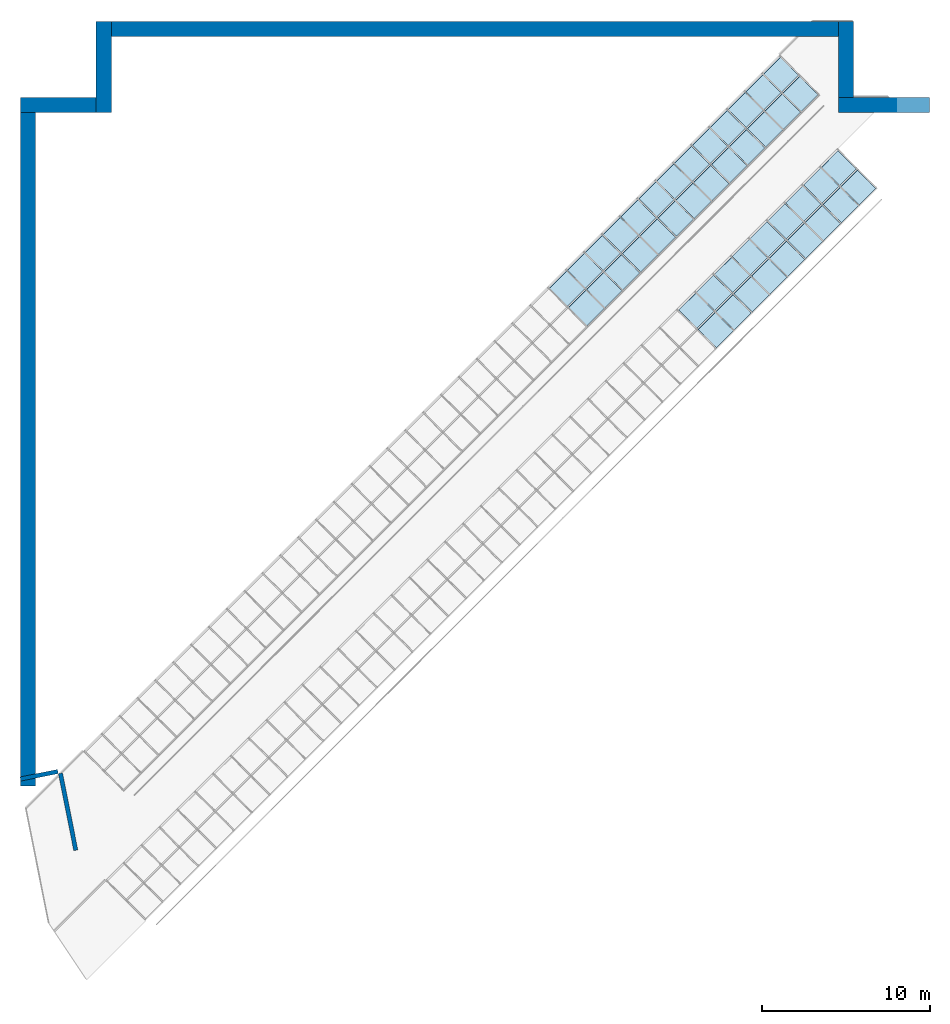
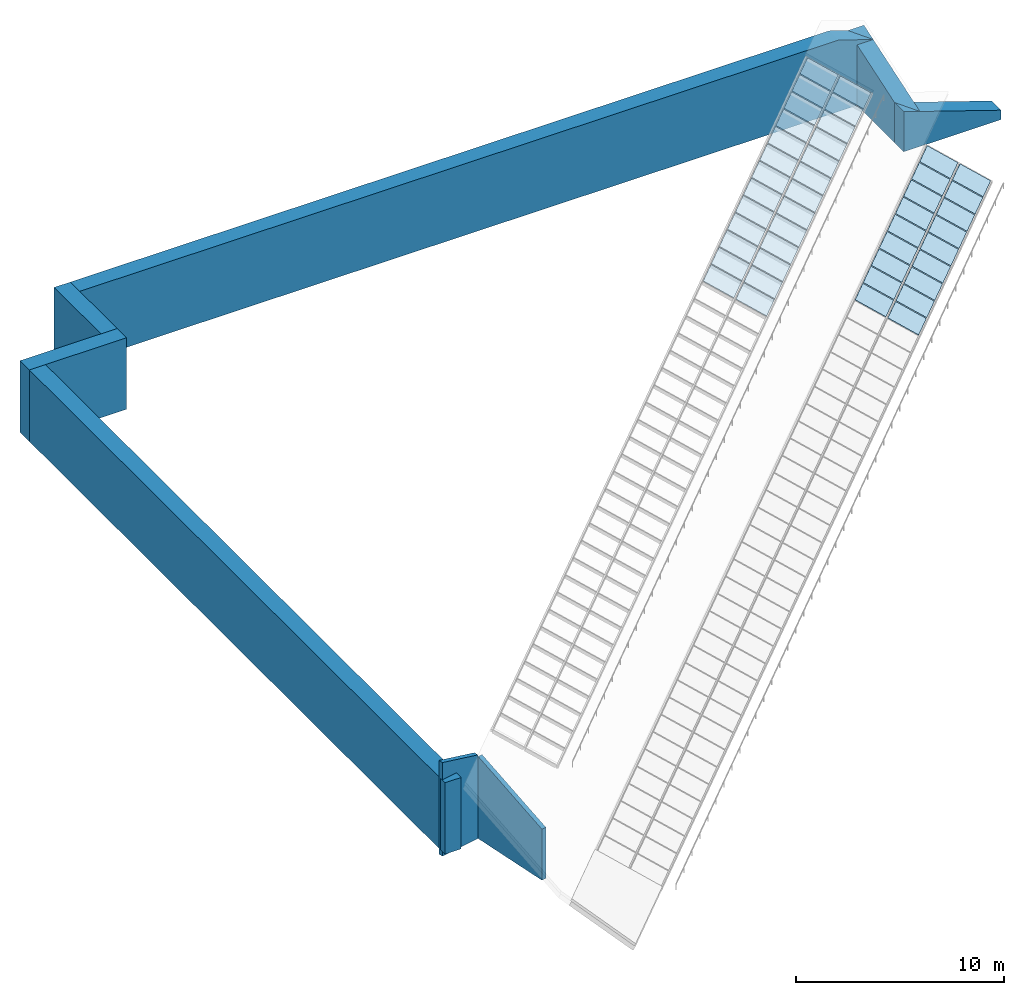
# One storey, part 6 of 7: 44 plates, 8 walls, 2 elements without a shape of their own.
"""IFC4 building model written with IfcOpenShell, lengths in metres."""

import ifcopenshell
import ifcopenshell.guid

model = None  # the IFC model being written
_history = None  # IfcOwnerHistory: only IFC2X3 demands one
_inside = {}  # id of a spatial element -> (the spatial element, [elements in it])
_under = {}  # id of a project, library or spatial element -> (it, [spatial elements below it])
_declared = {}  # id of a project -> (the project, [libraries it declares])
_typed = {}  # id of a type object -> (the type object, [elements of that type])
_made_of = {}  # id of a material, layer set ... -> (it, [elements and type objects made of it])


def new_model(schema):
    """Start an empty IFC model of exactly this schema.

    Asked for "IFC4X3", IfcOpenShell would pick the latest addendum, in which some entities
    have other attributes; the version numbers below select the first issue.
    IFC2X3 requires an IfcOwnerHistory on every rooted entity: one is made here for all.
    """
    global model, _history
    if schema == "IFC4X3":
        model = ifcopenshell.file(schema_version=(4, 3, 0, 0))
    else:
        model = ifcopenshell.file(schema=schema)
    _inside.clear()
    _under.clear()
    _declared.clear()
    _typed.clear()
    _made_of.clear()
    _history = None
    if model.schema == "IFC2X3":
        org = make("IfcOrganization", Name="unknown")
        user = make(
            "IfcPersonAndOrganization",
            ThePerson=make("IfcPerson", FamilyName="unknown"),
            TheOrganization=org,
        )
        app = make(
            "IfcApplication",
            ApplicationDeveloper=org,
            Version="unknown",
            ApplicationFullName="unknown",
            ApplicationIdentifier="unknown",
        )
        _history = make(
            "IfcOwnerHistory",
            OwningUser=user,
            OwningApplication=app,
            ChangeAction="ADDED",
            CreationDate=0,
        )
    return model


def make(cls, **values):
    """One entity of the class cls with the attributes given. An attribute that is None is left unset."""
    return model.create_entity(
        cls, **{name: value for name, value in values.items() if value is not None}
    )


def rooted(cls, **values):
    """An entity with a GlobalId (a new one), such as an element, a storey or a relation."""
    return make(cls, GlobalId=ifcopenshell.guid.new(), OwnerHistory=_history, **values)


def si_unit(unit_type, name, prefix=None):
    """IfcSIUnit, for example si_unit("LENGTHUNIT", "METRE", prefix="MILLI")."""
    return make("IfcSIUnit", UnitType=unit_type, Prefix=prefix, Name=name)


def assignment(units):
    """IfcUnitAssignment: the units of a project."""
    return None if units is None else make("IfcUnitAssignment", Units=units)


def point(xyz):
    """IfcCartesianPoint."""
    return None if xyz is None else make("IfcCartesianPoint", Coordinates=xyz)


def direction(xyz):
    """IfcDirection."""
    return None if xyz is None else make("IfcDirection", DirectionRatios=xyz)


def frame(location, z_axis=None, x_axis=None):
    """IfcAxis2Placement3D, a coordinate frame: its origin and axes. An axis left out is left unset."""
    return make(
        "IfcAxis2Placement3D",
        Location=point(location),
        Axis=direction(z_axis),
        RefDirection=direction(x_axis),
    )


def origin():
    """The frame at (0, 0, 0) with its axes left unset."""
    return frame((0.0, 0.0, 0.0))


def place(relative_to, where):
    """IfcLocalPlacement: puts the frame where relative to a parent placement (None: the world)."""
    return make(
        "IfcLocalPlacement", PlacementRelTo=relative_to, RelativePlacement=where
    )


def context(
    kind, dimensions, precision=None, world=None, true_north=None, identifier=None
):
    """IfcGeometricRepresentationContext, for example the 3D "Model" context."""
    return make(
        "IfcGeometricRepresentationContext",
        ContextIdentifier=identifier,
        ContextType=kind,
        CoordinateSpaceDimension=dimensions,
        Precision=precision,
        WorldCoordinateSystem=world,
        TrueNorth=true_north,
    )


def subcontext(parent, identifier, kind, view, scale=None):
    """IfcGeometricRepresentationSubContext, for example "Body" below "Model"."""
    return make(
        "IfcGeometricRepresentationSubContext",
        ContextIdentifier=identifier,
        ContextType=kind,
        ParentContext=parent,
        TargetScale=scale,
        TargetView=view,
    )


def project(units=None, contexts=None):
    """IfcProject with its units and contexts."""
    return rooted(
        "IfcProject",
        Name="project",
        RepresentationContexts=contexts,
        UnitsInContext=assignment(units),
    )


def spatial(cls, under=None, at=None, **own):
    """A site, building, storey or space (cls), placed at a placement, below another one or the project."""
    s = rooted(cls, ObjectPlacement=at, **own)
    if under is not None:
        _under.setdefault(under.id(), (under, []))[1].append(s)
    return s


def polyline(points):
    """IfcPolyline through the points."""
    return make("IfcPolyline", Points=[point(p) for p in points])


def outline(outer, holes=None, kind="AREA"):
    """IfcArbitraryClosedProfileDef: a profile drawn as a closed curve; with holes, ...WithVoids."""
    if holes is None:
        return make("IfcArbitraryClosedProfileDef", ProfileType=kind, OuterCurve=outer)
    return make(
        "IfcArbitraryProfileDefWithVoids",
        ProfileType=kind,
        OuterCurve=outer,
        InnerCurves=holes,
    )


def extrude(swept, where, along, depth):
    """IfcExtrudedAreaSolid: the profile swept, set in the frame where, extruded along a direction by depth."""
    return make(
        "IfcExtrudedAreaSolid",
        SweptArea=swept,
        Position=where,
        ExtrudedDirection=direction(along),
        Depth=depth,
    )


def shape(context_of_items, identifier, shape_type, items):
    """IfcShapeRepresentation: the items that make up one representation, for example the "Body"."""
    return make(
        "IfcShapeRepresentation",
        ContextOfItems=context_of_items,
        RepresentationIdentifier=identifier,
        RepresentationType=shape_type,
        Items=items,
    )


def material(Name=None, Category=None):
    """IfcMaterial."""
    return make("IfcMaterial", Name=Name, Category=Category)


def layer(
    of_material, thickness, ventilated=None, Name=None, Category=None, Priority=None
):
    """IfcMaterialLayer: one layer of a wall or slab, of a material (None: an air gap)."""
    return make(
        "IfcMaterialLayer",
        Material=of_material,
        LayerThickness=thickness,
        IsVentilated=ventilated,
        Name=Name,
        Category=Category,
        Priority=Priority,
    )


def layer_set(layers, Name=None):
    """IfcMaterialLayerSet."""
    return make("IfcMaterialLayerSet", MaterialLayers=layers, LayerSetName=Name)


def made_of(thing, what):
    """Note that an element or type object is made of a material, layer set ...; save() writes the relation."""
    if what is not None:
        _made_of.setdefault(what.id(), (what, []))[1].append(thing)
    return thing


def type_object(cls, material=None, **own):
    """A type object (cls), such as IfcWallType, which elements share."""
    return made_of(rooted(cls, **own), material)


def element(
    cls,
    number,
    at=None,
    inside=None,
    cuts=None,
    type_object=None,
    material=None,
    context=None,
    identifier="Body",
    shape_type=None,
    held_by="IfcProductDefinitionShape",
    body=None,
    shapes=None,
    **own,
):
    """One element of the class cls, such as IfcWall. Its Tag is "e" and its number.

    at: its placement. inside: the storey or other place that contains it. cuts: it is an
    opening in that element (IfcRelVoidsElement). A single representation is given by context,
    identifier, shape_type and body (its items); several are given by shapes. held_by: the class
    of the entity that holds the representations. save() writes the other relations.
    """
    e = rooted(cls, Tag="e%d" % number, ObjectPlacement=at, **own)
    if body is not None:
        shapes = [shape(context, identifier, shape_type, body)]
    if shapes is not None:
        e.Representation = make(held_by, Representations=shapes)
    if inside is not None:
        _inside.setdefault(inside.id(), (inside, []))[1].append(e)
    if cuts is not None:
        rooted(
            "IfcRelVoidsElement", RelatingBuildingElement=cuts, RelatedOpeningElement=e
        )
    if type_object is not None:
        _typed.setdefault(type_object.id(), (type_object, []))[1].append(e)
    return made_of(e, material)


def aggregate(whole, parts):
    """IfcRelAggregates: a whole, such as a stair, and the parts it consists of."""
    return rooted("IfcRelAggregates", RelatingObject=whole, RelatedObjects=parts)


def save(model, path):
    """Write the relations noted so far, then the file.

    IfcRelAggregates (storeys below a building ...), IfcRelContainedInSpatialStructure (elements
    in a storey), IfcRelDefinesByType, IfcRelAssociatesMaterial and IfcRelDeclares: one each for
    every whole, place, type object, material and project.
    """
    for whole, parts in _under.values():
        aggregate(whole, parts)
    for where, things in _inside.values():
        rooted(
            "IfcRelContainedInSpatialStructure",
            RelatedElements=things,
            RelatingStructure=where,
        )
    for kind, things in _typed.values():
        rooted("IfcRelDefinesByType", RelatedObjects=things, RelatingType=kind)
    for what, things in _made_of.values():
        rooted("IfcRelAssociatesMaterial", RelatedObjects=things, RelatingMaterial=what)
    for by, libraries in _declared.values():
        rooted("IfcRelDeclares", RelatingContext=by, RelatedDefinitions=libraries)
    model.write(path)


model = new_model("IFC4")

# Units and contexts
model_context = context("Model", 3, precision=1e-05, world=origin(), true_north=direction((0.0, 1.0)))
body_context = subcontext(model_context, "Body", "Model", "MODEL_VIEW")
ifc_project = project(units=[si_unit("LENGTHUNIT", "METRE"), si_unit("AREAUNIT", "SQUARE_METRE"), si_unit("VOLUMEUNIT", "CUBIC_METRE"), si_unit("PLANEANGLEUNIT", "RADIAN"), si_unit("MASSUNIT", "GRAM", prefix="KILO")], contexts=[model_context])

# Site, building, storey
site_placement = place(None, origin())
site = spatial("IfcSite", under=ifc_project, at=site_placement, CompositionType="ELEMENT")
building_placement = place(site_placement, origin())
building = spatial("IfcBuilding", under=site, at=building_placement, Name="Hunhe Ridgeline Campus", CompositionType="ELEMENT")
storey_placement = place(building_placement, frame((0.0, 0.0, 315.60009765625)))
storey = spatial("IfcBuildingStorey", under=building, at=storey_placement, Name="L81 Crown", CompositionType="ELEMENT", Elevation=315.60009765625)

# Curtain wall, plates
ifc_material_1 = material(Name="Aluminium 6063", Category="aluminium")
curtain_wall_type = type_object("IfcCurtainWallType", Name="Curtain wall CW-6", PredefinedType="NOTDEFINED", material=ifc_material_1)
curtain_wall_1_placement = place(storey_placement, origin())
curtain_wall_1 = element("IfcCurtainWall", 1, at=curtain_wall_1_placement, inside=storey, type_object=curtain_wall_type, Name="Rooflight 3", PredefinedType="NOTDEFINED")
ifc_material_2 = material(Name="Low-e laminated glass", Category="glass")
ifc_layer_1 = layer(ifc_material_2, 0.0400390625)
ifc_layer_set_1 = layer_set([ifc_layer_1], Name="Rooflight glass panel 40 low-e laminated")
plate_type = type_object("IfcPlateType", Name="Rooflight glass panel 40 low-e laminated", PredefinedType="CURTAIN_PANEL", material=ifc_layer_set_1)
plate_1_placement = place(storey_placement, frame((50.82275390625, 89.08544921875, 0.261474609375), z_axis=(0.301474033015, -0.301548655301, 0.904534032474), x_axis=(-0.639602149067, 0.639602149067, 0.426401432711)))
plate_1 = element("IfcPlate", 2, at=plate_1_placement, type_object=plate_type, Name="Rooflight panel 1.1", PredefinedType="CURTAIN_PANEL", context=body_context, shape_type="SweptSolid", body=[
    extrude(outline(polyline([(0.0, 0.0), (1.6936340109323371, 1.1218781979793757e-16), (1.6937901638007615, 1.3950512467586071), (0.00015615286842451948, 1.395051246758607), (0.0, 0.0)])), origin(), (0.0, 0.0, -1.0), 0.0400390625),
])
plate_2_placement = place(storey_placement, frame((49.786865234375, 88.049560546875, 0.261474609375), z_axis=(0.301511344578, -0.301511344578, 0.904534033733), x_axis=(-0.639602149067, 0.639602149067, 0.426401432711)))
plate_2 = element("IfcPlate", 3, at=plate_2_placement, type_object=plate_type, Name="Rooflight panel 1.2", PredefinedType="CURTAIN_PANEL", context=body_context, shape_type="SweptSolid", body=[
    extrude(outline(polyline([(0.0, 0.0), (1.6936340109323371, 0.0), (1.693634010932337, 1.4300958435911524), (0.0, 1.4300958435911524), (0.0, 0.0)])), origin(), (0.0, 0.0, -1.0), 0.0400390625),
])
plate_3_placement = place(storey_placement, frame((48.72607421875, 86.98876953125, 0.261474609375), z_axis=(0.301483547543, -0.301483547543, 0.904552564046), x_axis=(-0.63954317933, 0.639687317978, 0.426362119554)))
plate_3 = element("IfcPlate", 4, at=plate_3_placement, type_object=plate_type, Name="Rooflight panel 1.3", PredefinedType="CURTAIN_PANEL", context=body_context, shape_type="SweptSolid", body=[
    extrude(outline(polyline([(0.0, 0.0), (1.6937901741978365, -3.077778917143226e-17), (1.6936444168056752, 1.4300958361632525), (-0.00014572220206188202, 1.4297505691820445), (0.0, 0.0)])), origin(), (0.0, 0.0, -1.0), 0.0400390625),
])
plate_4_placement = place(storey_placement, frame((47.66552734375, 85.92822265625, 0.261474609375), z_axis=(0.301511344578, -0.301511344578, 0.904534033733), x_axis=(-0.639602149067, 0.639602149067, 0.426401432711)))
plate_4 = element("IfcPlate", 5, at=plate_4_placement, type_object=plate_type, Name="Rooflight panel 1.4", PredefinedType="CURTAIN_PANEL", context=body_context, shape_type="SweptSolid", body=[
    extrude(outline(polyline([(0.0, 0.0), (1.6936340109323371, 0.0), (1.693634010932337, 1.4300958435911524), (0.0, 1.4300958435911524), (0.0, 0.0)])), origin(), (0.0, 0.0, -1.0), 0.0400390625),
])
plate_5_placement = place(storey_placement, frame((46.604736328125, 84.867431640625, 0.261474609375), z_axis=(0.301483547543, -0.301483547543, 0.904552564046), x_axis=(-0.63954317933, 0.639687317978, 0.426362119554)))
plate_5 = element("IfcPlate", 6, at=plate_5_placement, type_object=plate_type, Name="Rooflight panel 1.5", PredefinedType="CURTAIN_PANEL", context=body_context, shape_type="SweptSolid", body=[
    extrude(outline(polyline([(0.0, 0.0), (1.6937901741978365, -3.077778917143226e-17), (1.6936444168056752, 1.4300958361632525), (-0.00014572220206188202, 1.4297505691820445), (0.0, 0.0)])), origin(), (0.0, 0.0, -1.0), 0.0400390625),
])
plate_6_placement = place(storey_placement, frame((45.544189453125, 83.806884765625, 0.261474609375), z_axis=(0.301511344578, -0.301511344578, 0.904534033733), x_axis=(-0.639602149067, 0.639602149067, 0.426401432711)))
plate_6 = element("IfcPlate", 7, at=plate_6_placement, type_object=plate_type, Name="Rooflight panel 1.6", PredefinedType="CURTAIN_PANEL", context=body_context, shape_type="SweptSolid", body=[
    extrude(outline(polyline([(0.0, 0.0), (1.6936340109323371, 0.0), (1.693634010932337, 1.4300958435911524), (0.0, 1.4300958435911524), (0.0, 0.0)])), origin(), (0.0, 0.0, -1.0), 0.0400390625),
])
plate_7_placement = place(storey_placement, frame((44.4833984375, 82.746337890625, 0.261474609375), z_axis=(0.301547745403, -0.301474942954, 0.904534032535), x_axis=(-0.639602149067, 0.639602149067, 0.426401432711)))
plate_7 = element("IfcPlate", 8, at=plate_7_placement, type_object=plate_type, Name="Rooflight panel 1.7", PredefinedType="CURTAIN_PANEL", context=body_context, shape_type="SweptSolid", body=[
    extrude(outline(polyline([(0.0, 0.0), (1.6936340109323371, 3.6469850576981155e-17), (1.6934778580639125, 1.4299232119943703), (-0.00015615286842451948, 1.4299232119943701), (0.0, 0.0)])), origin(), (0.0, 0.0, -1.0), 0.0400390625),
])
plate_8_placement = place(storey_placement, frame((43.4228515625, 81.685546875, 0.261474609375), z_axis=(0.301511344578, -0.301511344578, 0.904534033733), x_axis=(-0.639602149067, 0.639602149067, 0.426401432711)))
plate_8 = element("IfcPlate", 9, at=plate_8_placement, type_object=plate_type, Name="Rooflight panel 1.8", PredefinedType="CURTAIN_PANEL", context=body_context, shape_type="SweptSolid", body=[
    extrude(outline(polyline([(0.0, 0.0), (1.6936340109323371, 0.0), (1.693634010932337, 1.4300958435911524), (0.0, 1.4300958435911524), (0.0, 0.0)])), origin(), (0.0, 0.0, -1.0), 0.0400390625),
])
plate_9_placement = place(storey_placement, frame((42.362060546875, 80.625, 0.261474609375), z_axis=(0.301547745403, -0.301474942954, 0.904534032535), x_axis=(-0.639602149067, 0.639602149067, 0.426401432711)))
plate_9 = element("IfcPlate", 10, at=plate_9_placement, type_object=plate_type, Name="Rooflight panel 1.9", PredefinedType="CURTAIN_PANEL", context=body_context, shape_type="SweptSolid", body=[
    extrude(outline(polyline([(0.0, 0.0), (1.6936340109323371, 3.6469850576981155e-17), (1.6934778580639125, 1.4299232119943703), (-0.00015615286842451948, 1.4299232119943701), (0.0, 0.0)])), origin(), (0.0, 0.0, -1.0), 0.0400390625),
])
plate_10_placement = place(storey_placement, frame((49.668701171875, 90.239501953125, 1.03076171875), z_axis=(0.301548655301, -0.301474033015, 0.904534032474), x_axis=(-0.639602149067, 0.639602149067, 0.426401432711)))
plate_10 = element("IfcPlate", 11, at=plate_10_placement, type_object=plate_type, Name="Rooflight panel 2.1", PredefinedType="CURTAIN_PANEL", context=body_context, shape_type="SweptSolid", body=[
    extrude(outline(polyline([(0.0, 0.0), (1.6936340109323371, -1.1218781979793757e-16), (1.6934778580639125, 1.3950512467586067), (-0.00015615286842451948, 1.395051246758607), (0.0, 0.0)])), origin(), (0.0, 0.0, -1.0), 0.0400390625),
])
plate_11_placement = place(storey_placement, frame((48.6328125, 89.20361328125, 1.03076171875), z_axis=(0.301511344578, -0.301511344578, 0.904534033733), x_axis=(-0.639602149067, 0.639602149067, 0.426401432711)))
plate_11 = element("IfcPlate", 12, at=plate_11_placement, type_object=plate_type, Name="Rooflight panel 2.2", PredefinedType="CURTAIN_PANEL", context=body_context, shape_type="SweptSolid", body=[
    extrude(outline(polyline([(0.0, 0.0), (1.6936340109323371, 0.0), (1.693634010932337, 1.4300958435911524), (0.0, 1.4300958435911524), (0.0, 0.0)])), origin(), (0.0, 0.0, -1.0), 0.0400390625),
])
plate_12_placement = place(storey_placement, frame((47.572265625, 88.142822265625, 1.03076171875), z_axis=(0.301483547543, -0.301483547543, 0.904552564046), x_axis=(-0.639687317978, 0.63954317933, 0.426362119554)))
plate_12 = element("IfcPlate", 13, at=plate_12_placement, type_object=plate_type, Name="Rooflight panel 2.3", PredefinedType="CURTAIN_PANEL", context=body_context, shape_type="SweptSolid", body=[
    extrude(outline(polyline([(0.0, 0.0), (1.6937901741978365, 3.077778917143226e-17), (1.6939358963998983, 1.4297505691820447), (0.00014575739216138306, 1.4300958361632525), (0.0, 0.0)])), origin(), (0.0, 0.0, -1.0), 0.0400390625),
])
plate_13_placement = place(storey_placement, frame((46.511474609375, 87.082275390625, 1.03076171875), z_axis=(0.301511344578, -0.301511344578, 0.904534033733), x_axis=(-0.639602149067, 0.639602149067, 0.426401432711)))
plate_13 = element("IfcPlate", 14, at=plate_13_placement, type_object=plate_type, Name="Rooflight panel 2.4", PredefinedType="CURTAIN_PANEL", context=body_context, shape_type="SweptSolid", body=[
    extrude(outline(polyline([(0.0, 0.0), (1.6936340109323371, 0.0), (1.693634010932337, 1.4300958435911524), (0.0, 1.4300958435911524), (0.0, 0.0)])), origin(), (0.0, 0.0, -1.0), 0.0400390625),
])
plate_14_placement = place(storey_placement, frame((45.450927734375, 86.021484375, 1.03076171875), z_axis=(0.301483547543, -0.301483547543, 0.904552564046), x_axis=(-0.639687317978, 0.63954317933, 0.426362119554)))
plate_14 = element("IfcPlate", 15, at=plate_14_placement, type_object=plate_type, Name="Rooflight panel 2.5", PredefinedType="CURTAIN_PANEL", context=body_context, shape_type="SweptSolid", body=[
    extrude(outline(polyline([(0.0, 0.0), (1.6937901741978365, 3.077778917143226e-17), (1.6939358963998983, 1.4297505691820447), (0.00014575739216138306, 1.4300958361632525), (0.0, 0.0)])), origin(), (0.0, 0.0, -1.0), 0.0400390625),
])
plate_15_placement = place(storey_placement, frame((44.39013671875, 84.9609375, 1.03076171875), z_axis=(0.301511344578, -0.301511344578, 0.904534033733), x_axis=(-0.639602149067, 0.639602149067, 0.426401432711)))
plate_15 = element("IfcPlate", 16, at=plate_15_placement, type_object=plate_type, Name="Rooflight panel 2.6", PredefinedType="CURTAIN_PANEL", context=body_context, shape_type="SweptSolid", body=[
    extrude(outline(polyline([(0.0, 0.0), (1.6936340109323371, 0.0), (1.693634010932337, 1.4300958435911524), (0.0, 1.4300958435911524), (0.0, 0.0)])), origin(), (0.0, 0.0, -1.0), 0.0400390625),
])
plate_16_placement = place(storey_placement, frame((43.32958984375, 83.900146484375, 1.03076171875), z_axis=(0.301474942954, -0.301547745403, 0.904534032535), x_axis=(-0.639602149067, 0.639602149067, 0.426401432711)))
plate_16 = element("IfcPlate", 17, at=plate_16_placement, type_object=plate_type, Name="Rooflight panel 2.7", PredefinedType="CURTAIN_PANEL", context=body_context, shape_type="SweptSolid", body=[
    extrude(outline(polyline([(0.0, 0.0), (1.6936340109323371, -3.6469850576981155e-17), (1.6937901638007615, 1.4299232119943701), (0.00015615286842451948, 1.4299232119943701), (0.0, 0.0)])), origin(), (0.0, 0.0, -1.0), 0.0400390625),
])
plate_17_placement = place(storey_placement, frame((42.268798828125, 82.839599609375, 1.03076171875), z_axis=(0.301511344578, -0.301511344578, 0.904534033733), x_axis=(-0.639602149067, 0.639602149067, 0.426401432711)))
plate_17 = element("IfcPlate", 18, at=plate_17_placement, type_object=plate_type, Name="Rooflight panel 2.8", PredefinedType="CURTAIN_PANEL", context=body_context, shape_type="SweptSolid", body=[
    extrude(outline(polyline([(0.0, 0.0), (1.6936340109323371, 0.0), (1.693634010932337, 1.4300958435911524), (0.0, 1.4300958435911524), (0.0, 0.0)])), origin(), (0.0, 0.0, -1.0), 0.0400390625),
])
plate_18_placement = place(storey_placement, frame((41.208251953125, 81.77880859375, 1.03076171875), z_axis=(0.301474942954, -0.301547745403, 0.904534032535), x_axis=(-0.639602149067, 0.639602149067, 0.426401432711)))
plate_18 = element("IfcPlate", 19, at=plate_18_placement, type_object=plate_type, Name="Rooflight panel 2.9", PredefinedType="CURTAIN_PANEL", context=body_context, shape_type="SweptSolid", body=[
    extrude(outline(polyline([(0.0, 0.0), (1.6936340109323371, -3.6469850576981155e-17), (1.6937901638007615, 1.4299232119943701), (0.00015615286842451948, 1.4299232119943701), (0.0, 0.0)])), origin(), (0.0, 0.0, -1.0), 0.0400390625),
])
aggregate(curtain_wall_1, [plate_1, plate_2, plate_3, plate_4, plate_5, plate_6, plate_7, plate_8, plate_9, plate_10, plate_11, plate_12, plate_13, plate_14, plate_15, plate_16, plate_17, plate_18])

curtain_wall_2_placement = place(storey_placement, origin())
curtain_wall_2 = element("IfcCurtainWall", 20, at=curtain_wall_2_placement, inside=storey, type_object=curtain_wall_type, Name="Rooflight 4", PredefinedType="NOTDEFINED")
plate_19_placement = place(storey_placement, frame((47.38330078125, 94.64599609375, 3.26171875), z_axis=(0.301516102112, -0.30147879038, 0.904543298642), x_axis=(-0.639536628329, 0.639680767787, 0.426381773003)))
plate_19 = element("IfcPlate", 21, at=plate_19_placement, type_object=plate_type, Name="Rooflight panel 1.1", PredefinedType="CURTAIN_PANEL", context=body_context, shape_type="SweptSolid", body=[
    extrude(outline(polyline([(0.0, 0.0), (1.6937901737980354, 5.0672899036541263e-17), (1.69349183293394, 1.3950512231114782), (-0.0001421688016474132, 1.3948786035944865), (0.0, 0.0)])), origin(), (0.0, 0.0, -1.0), 0.0400390625),
])
plate_20_placement = place(storey_placement, frame((46.347412109375, 93.610107421875, 3.26171875), z_axis=(0.301474942954, -0.301547745403, 0.904534032535), x_axis=(-0.639602149067, 0.639602149067, 0.426401432711)))
plate_20 = element("IfcPlate", 22, at=plate_20_placement, type_object=plate_type, Name="Rooflight panel 1.2", PredefinedType="CURTAIN_PANEL", context=body_context, shape_type="SweptSolid", body=[
    extrude(outline(polyline([(0.0, 0.0), (1.6936340109323371, -3.6469850576981155e-17), (1.6937901638007615, 1.4299232119943701), (0.00015615286842451948, 1.4299232119943701), (0.0, 0.0)])), origin(), (0.0, 0.0, -1.0), 0.0400390625),
])
plate_21_placement = place(storey_placement, frame((45.286865234375, 92.549560546875, 3.26171875), z_axis=(0.301511344578, -0.301511344578, 0.904534033733), x_axis=(-0.639602149067, 0.639602149067, 0.426401432711)))
plate_21 = element("IfcPlate", 23, at=plate_21_placement, type_object=plate_type, Name="Rooflight panel 1.3", PredefinedType="CURTAIN_PANEL", context=body_context, shape_type="SweptSolid", body=[
    extrude(outline(polyline([(0.0, 0.0), (1.6936340109323371, 0.0), (1.693634010932337, 1.4300958435911524), (0.0, 1.4300958435911524), (0.0, 0.0)])), origin(), (0.0, 0.0, -1.0), 0.0400390625),
])
plate_22_placement = place(storey_placement, frame((44.22607421875, 91.48876953125, 3.26171875), z_axis=(0.301483547543, -0.301483547543, 0.904552564046), x_axis=(-0.63954317933, 0.639687317978, 0.426362119554)))
plate_22 = element("IfcPlate", 24, at=plate_22_placement, type_object=plate_type, Name="Rooflight panel 1.4", PredefinedType="CURTAIN_PANEL", context=body_context, shape_type="SweptSolid", body=[
    extrude(outline(polyline([(0.0, 0.0), (1.6937901741978365, -3.077778917143226e-17), (1.6936444168056752, 1.4300958361632525), (-0.00014572220206188202, 1.4297505691820445), (0.0, 0.0)])), origin(), (0.0, 0.0, -1.0), 0.0400390625),
])
plate_23_placement = place(storey_placement, frame((43.16552734375, 90.42822265625, 3.26171875), z_axis=(0.301511344578, -0.301511344578, 0.904534033733), x_axis=(-0.639602149067, 0.639602149067, 0.426401432711)))
plate_23 = element("IfcPlate", 25, at=plate_23_placement, type_object=plate_type, Name="Rooflight panel 1.5", PredefinedType="CURTAIN_PANEL", context=body_context, shape_type="SweptSolid", body=[
    extrude(outline(polyline([(0.0, 0.0), (1.6936340109323371, 0.0), (1.693634010932337, 1.4300958435911524), (0.0, 1.4300958435911524), (0.0, 0.0)])), origin(), (0.0, 0.0, -1.0), 0.0400390625),
])
plate_24_placement = place(storey_placement, frame((42.104736328125, 89.367431640625, 3.26171875), z_axis=(0.301483547543, -0.301483547543, 0.904552564046), x_axis=(-0.63954317933, 0.639687317978, 0.426362119554)))
plate_24 = element("IfcPlate", 26, at=plate_24_placement, type_object=plate_type, Name="Rooflight panel 1.6", PredefinedType="CURTAIN_PANEL", context=body_context, shape_type="SweptSolid", body=[
    extrude(outline(polyline([(0.0, 0.0), (1.6937901741978365, -3.077778917143226e-17), (1.6936444168056752, 1.4300958361632525), (-0.00014572220206188202, 1.4297505691820445), (0.0, 0.0)])), origin(), (0.0, 0.0, -1.0), 0.0400390625),
])
plate_25_placement = place(storey_placement, frame((41.044189453125, 88.306884765625, 3.26171875), z_axis=(0.301511344578, -0.301511344578, 0.904534033733), x_axis=(-0.639602149067, 0.639602149067, 0.426401432711)))
plate_25 = element("IfcPlate", 27, at=plate_25_placement, type_object=plate_type, Name="Rooflight panel 1.7", PredefinedType="CURTAIN_PANEL", context=body_context, shape_type="SweptSolid", body=[
    extrude(outline(polyline([(0.0, 0.0), (1.6936340109323371, 0.0), (1.693634010932337, 1.4300958435911524), (0.0, 1.4300958435911524), (0.0, 0.0)])), origin(), (0.0, 0.0, -1.0), 0.0400390625),
])
plate_26_placement = place(storey_placement, frame((39.9833984375, 87.246337890625, 3.26171875), z_axis=(0.301547745403, -0.301474942954, 0.904534032535), x_axis=(-0.639602149067, 0.639602149067, 0.426401432711)))
plate_26 = element("IfcPlate", 28, at=plate_26_placement, type_object=plate_type, Name="Rooflight panel 1.8", PredefinedType="CURTAIN_PANEL", context=body_context, shape_type="SweptSolid", body=[
    extrude(outline(polyline([(0.0, 0.0), (1.6936340109323371, 3.6469850576981155e-17), (1.6934778580639125, 1.4299232119943703), (-0.00015615286842451948, 1.4299232119943701), (0.0, 0.0)])), origin(), (0.0, 0.0, -1.0), 0.0400390625),
])
plate_27_placement = place(storey_placement, frame((38.9228515625, 86.185546875, 3.26171875), z_axis=(0.301511344578, -0.301511344578, 0.904534033733), x_axis=(-0.639602149067, 0.639602149067, 0.426401432711)))
plate_27 = element("IfcPlate", 29, at=plate_27_placement, type_object=plate_type, Name="Rooflight panel 1.9", PredefinedType="CURTAIN_PANEL", context=body_context, shape_type="SweptSolid", body=[
    extrude(outline(polyline([(0.0, 0.0), (1.6936340109323371, 0.0), (1.693634010932337, 1.4300958435911524), (0.0, 1.4300958435911524), (0.0, 0.0)])), origin(), (0.0, 0.0, -1.0), 0.0400390625),
])
plate_28_placement = place(storey_placement, frame((37.862060546875, 85.125, 3.26171875), z_axis=(0.301547745403, -0.301474942954, 0.904534032535), x_axis=(-0.639602149067, 0.639602149067, 0.426401432711)))
plate_28 = element("IfcPlate", 30, at=plate_28_placement, type_object=plate_type, Name="Rooflight panel 1.10", PredefinedType="CURTAIN_PANEL", context=body_context, shape_type="SweptSolid", body=[
    extrude(outline(polyline([(0.0, 0.0), (1.6936340109323371, 3.6469850576981155e-17), (1.6934778580639125, 1.4299232119943703), (-0.00015615286842451948, 1.4299232119943701), (0.0, 0.0)])), origin(), (0.0, 0.0, -1.0), 0.0400390625),
])
plate_29_placement = place(storey_placement, frame((36.801513671875, 84.064208984375, 3.26171875), z_axis=(0.301479245877, -0.301515643227, 0.90454329979), x_axis=(-0.639608700975, 0.639608701766, 0.426381775248)))
plate_29 = element("IfcPlate", 31, at=plate_29_placement, type_object=plate_type, Name="Rooflight panel 1.11", PredefinedType="CURTAIN_PANEL", context=body_context, shape_type="SweptSolid", body=[
    extrude(outline(polyline([(0.0, 0.0), (1.6936340105324015, -2.110128478199913e-17), (1.6937901642007342, 1.4299232115205895), (-7.998715023660452e-10, 1.4300958431175164), (0.0, 0.0)])), origin(), (0.0, 0.0, -1.0), 0.0400390625),
])
plate_30_placement = place(storey_placement, frame((35.740966796875, 83.003662109375, 3.26171875), z_axis=(0.301515643227, -0.301479245877, 0.90454329979), x_axis=(-0.639680766185, 0.639536628329, 0.426381775406)))
plate_30 = element("IfcPlate", 32, at=plate_30_placement, type_object=plate_type, Name="Rooflight panel 1.12", PredefinedType="CURTAIN_PANEL", context=body_context, shape_type="SweptSolid", body=[
    extrude(outline(polyline([(0.0, 0.0), (1.6937901737979375, 9.269928574751063e-17), (1.6937797583282785, 1.4299232200089778), (0.0001457565923979054, 1.430095835689698), (0.0, 0.0)])), origin(), (0.0, 0.0, -1.0), 0.0400390625),
])
plate_31_placement = place(storey_placement, frame((34.68017578125, 81.94287109375, 3.26171875), z_axis=(0.301474942954, -0.301547745403, 0.904534032535), x_axis=(-0.639602149067, 0.639602149067, 0.426401432711)))
plate_31 = element("IfcPlate", 33, at=plate_31_placement, type_object=plate_type, Name="Rooflight panel 1.13", PredefinedType="CURTAIN_PANEL", context=body_context, shape_type="SweptSolid", body=[
    extrude(outline(polyline([(0.0, 0.0), (1.6936340109323371, -3.6469850576981155e-17), (1.6937901638007615, 1.4299232119943701), (0.00015615286842451948, 1.4299232119943701), (0.0, 0.0)])), origin(), (0.0, 0.0, -1.0), 0.0400390625),
])
plate_32_placement = place(storey_placement, frame((46.2294921875, 95.800048828125, 4.031005859375), z_axis=(0.30147879038, -0.301516102112, 0.904543298642), x_axis=(-0.639680767787, 0.639536628329, 0.426381773003)))
plate_32 = element("IfcPlate", 34, at=plate_32_placement, type_object=plate_type, Name="Rooflight panel 2.1", PredefinedType="CURTAIN_PANEL", context=body_context, shape_type="SweptSolid", body=[
    extrude(outline(polyline([(0.0, 0.0), (1.6937901737980354, -5.0672899036541263e-17), (1.6939323425996826, 1.3948786035944865), (0.0002983408640954144, 1.3950512231114782), (0.0, 0.0)])), origin(), (0.0, 0.0, -1.0), 0.0400390625),
])
plate_33_placement = place(storey_placement, frame((45.193359375, 94.76416015625, 4.031005859375), z_axis=(0.301547745403, -0.301474942954, 0.904534032535), x_axis=(-0.639602149067, 0.639602149067, 0.426401432711)))
plate_33 = element("IfcPlate", 35, at=plate_33_placement, type_object=plate_type, Name="Rooflight panel 2.2", PredefinedType="CURTAIN_PANEL", context=body_context, shape_type="SweptSolid", body=[
    extrude(outline(polyline([(0.0, 0.0), (1.6936340109323371, 3.6469850576981155e-17), (1.6934778580639125, 1.4299232119943703), (-0.00015615286842451948, 1.4299232119943701), (0.0, 0.0)])), origin(), (0.0, 0.0, -1.0), 0.0400390625),
])
plate_34_placement = place(storey_placement, frame((44.1328125, 93.70361328125, 4.031005859375), z_axis=(0.301511344578, -0.301511344578, 0.904534033733), x_axis=(-0.639602149067, 0.639602149067, 0.426401432711)))
plate_34 = element("IfcPlate", 36, at=plate_34_placement, type_object=plate_type, Name="Rooflight panel 2.3", PredefinedType="CURTAIN_PANEL", context=body_context, shape_type="SweptSolid", body=[
    extrude(outline(polyline([(0.0, 0.0), (1.6936340109323371, 0.0), (1.693634010932337, 1.4300958435911524), (0.0, 1.4300958435911524), (0.0, 0.0)])), origin(), (0.0, 0.0, -1.0), 0.0400390625),
])
plate_35_placement = place(storey_placement, frame((43.072265625, 92.642822265625, 4.031005859375), z_axis=(0.301483547543, -0.301483547543, 0.904552564046), x_axis=(-0.639687317978, 0.63954317933, 0.426362119554)))
plate_35 = element("IfcPlate", 37, at=plate_35_placement, type_object=plate_type, Name="Rooflight panel 2.4", PredefinedType="CURTAIN_PANEL", context=body_context, shape_type="SweptSolid", body=[
    extrude(outline(polyline([(0.0, 0.0), (1.6937901741978365, 3.077778917143226e-17), (1.6939358963998983, 1.4297505691820447), (0.00014575739216138306, 1.4300958361632525), (0.0, 0.0)])), origin(), (0.0, 0.0, -1.0), 0.0400390625),
])
plate_36_placement = place(storey_placement, frame((42.011474609375, 91.582275390625, 4.031005859375), z_axis=(0.301511344578, -0.301511344578, 0.904534033733), x_axis=(-0.639602149067, 0.639602149067, 0.426401432711)))
plate_36 = element("IfcPlate", 38, at=plate_36_placement, type_object=plate_type, Name="Rooflight panel 2.5", PredefinedType="CURTAIN_PANEL", context=body_context, shape_type="SweptSolid", body=[
    extrude(outline(polyline([(0.0, 0.0), (1.6936340109323371, 0.0), (1.693634010932337, 1.4300958435911524), (0.0, 1.4300958435911524), (0.0, 0.0)])), origin(), (0.0, 0.0, -1.0), 0.0400390625),
])
plate_37_placement = place(storey_placement, frame((40.950927734375, 90.521484375, 4.031005859375), z_axis=(0.301483547543, -0.301483547543, 0.904552564046), x_axis=(-0.639687317978, 0.63954317933, 0.426362119554)))
plate_37 = element("IfcPlate", 39, at=plate_37_placement, type_object=plate_type, Name="Rooflight panel 2.6", PredefinedType="CURTAIN_PANEL", context=body_context, shape_type="SweptSolid", body=[
    extrude(outline(polyline([(0.0, 0.0), (1.6937901741978365, 3.077778917143226e-17), (1.6939358963998983, 1.4297505691820447), (0.00014575739216138306, 1.4300958361632525), (0.0, 0.0)])), origin(), (0.0, 0.0, -1.0), 0.0400390625),
])
plate_38_placement = place(storey_placement, frame((39.89013671875, 89.4609375, 4.031005859375), z_axis=(0.301511344578, -0.301511344578, 0.904534033733), x_axis=(-0.639602149067, 0.639602149067, 0.426401432711)))
plate_38 = element("IfcPlate", 40, at=plate_38_placement, type_object=plate_type, Name="Rooflight panel 2.7", PredefinedType="CURTAIN_PANEL", context=body_context, shape_type="SweptSolid", body=[
    extrude(outline(polyline([(0.0, 0.0), (1.6936340109323371, 0.0), (1.693634010932337, 1.4300958435911524), (0.0, 1.4300958435911524), (0.0, 0.0)])), origin(), (0.0, 0.0, -1.0), 0.0400390625),
])
plate_39_placement = place(storey_placement, frame((38.82958984375, 88.400146484375, 4.031005859375), z_axis=(0.301474942954, -0.301547745403, 0.904534032535), x_axis=(-0.639602149067, 0.639602149067, 0.426401432711)))
plate_39 = element("IfcPlate", 41, at=plate_39_placement, type_object=plate_type, Name="Rooflight panel 2.8", PredefinedType="CURTAIN_PANEL", context=body_context, shape_type="SweptSolid", body=[
    extrude(outline(polyline([(0.0, 0.0), (1.6936340109323371, -3.6469850576981155e-17), (1.6937901638007615, 1.4299232119943701), (0.00015615286842451948, 1.4299232119943701), (0.0, 0.0)])), origin(), (0.0, 0.0, -1.0), 0.0400390625),
])
plate_40_placement = place(storey_placement, frame((37.768798828125, 87.339599609375, 4.031005859375), z_axis=(0.301511344578, -0.301511344578, 0.904534033733), x_axis=(-0.639602149067, 0.639602149067, 0.426401432711)))
plate_40 = element("IfcPlate", 42, at=plate_40_placement, type_object=plate_type, Name="Rooflight panel 2.9", PredefinedType="CURTAIN_PANEL", context=body_context, shape_type="SweptSolid", body=[
    extrude(outline(polyline([(0.0, 0.0), (1.6936340109323371, 0.0), (1.693634010932337, 1.4300958435911524), (0.0, 1.4300958435911524), (0.0, 0.0)])), origin(), (0.0, 0.0, -1.0), 0.0400390625),
])
plate_41_placement = place(storey_placement, frame((36.708251953125, 86.27880859375, 4.031005859375), z_axis=(0.301474942954, -0.301547745403, 0.904534032535), x_axis=(-0.639602149067, 0.639602149067, 0.426401432711)))
plate_41 = element("IfcPlate", 43, at=plate_41_placement, type_object=plate_type, Name="Rooflight panel 2.10", PredefinedType="CURTAIN_PANEL", context=body_context, shape_type="SweptSolid", body=[
    extrude(outline(polyline([(0.0, 0.0), (1.6936340109323371, -3.6469850576981155e-17), (1.6937901638007615, 1.4299232119943701), (0.00015615286842451948, 1.4299232119943701), (0.0, 0.0)])), origin(), (0.0, 0.0, -1.0), 0.0400390625),
])
plate_42_placement = place(storey_placement, frame((35.6474609375, 85.21826171875, 4.031005859375), z_axis=(0.301515643227, -0.301479245877, 0.90454329979), x_axis=(-0.639608701766, 0.639608700975, 0.426381775248)))
plate_42 = element("IfcPlate", 44, at=plate_42_placement, type_object=plate_type, Name="Rooflight panel 2.11", PredefinedType="CURTAIN_PANEL", context=body_context, shape_type="SweptSolid", body=[
    extrude(outline(polyline([(0.0, 0.0), (1.6936340105324015, 2.110128478199913e-17), (1.6936340113322728, 1.4300958431175164), (-0.00015615366833288125, 1.4299232115205898), (0.0, 0.0)])), origin(), (0.0, 0.0, -1.0), 0.0400390625),
])
plate_43_placement = place(storey_placement, frame((34.5869140625, 84.157470703125, 4.031005859375), z_axis=(0.301479245877, -0.301515643227, 0.90454329979), x_axis=(-0.639536628329, 0.639680766185, 0.426381775406)))
plate_43 = element("IfcPlate", 45, at=plate_43_placement, type_object=plate_type, Name="Rooflight panel 2.12", PredefinedType="CURTAIN_PANEL", context=body_context, shape_type="SweptSolid", body=[
    extrude(outline(polyline([(0.0, 0.0), (1.6937901737979375, -9.269928574751063e-17), (1.6936444172055396, 1.4300958356896978), (1.041546965907525e-05, 1.4299232200089778), (0.0, 0.0)])), origin(), (0.0, 0.0, -1.0), 0.0400390625),
])
plate_44_placement = place(storey_placement, frame((33.526123046875, 83.096923828125, 4.031005859375), z_axis=(0.301547745403, -0.301474942954, 0.904534032535), x_axis=(-0.639602149067, 0.639602149067, 0.426401432711)))
plate_44 = element("IfcPlate", 46, at=plate_44_placement, type_object=plate_type, Name="Rooflight panel 2.13", PredefinedType="CURTAIN_PANEL", context=body_context, shape_type="SweptSolid", body=[
    extrude(outline(polyline([(0.0, 0.0), (1.6936340109323371, 3.6469850576981155e-17), (1.6934778580639125, 1.4299232119943703), (-0.00015615286842451948, 1.4299232119943701), (0.0, 0.0)])), origin(), (0.0, 0.0, -1.0), 0.0400390625),
])
aggregate(curtain_wall_2, [plate_19, plate_20, plate_21, plate_22, plate_23, plate_24, plate_25, plate_26, plate_27, plate_28, plate_29, plate_30, plate_31, plate_32, plate_33, plate_34, plate_35, plate_36, plate_37, plate_38, plate_39, plate_40, plate_41, plate_42, plate_43, plate_44])

# Walls
ifc_material_3 = material(Name="Concrete C50", Category="concrete")
ifc_layer_2 = layer(ifc_material_3, 0.25)
ifc_layer_set_2 = layer_set([ifc_layer_2], Name="Crown cladding wall 250 Concrete C50")
wall_type_1 = type_object("IfcWallType", Name="Crown cladding wall 250 Concrete C50", PredefinedType="SOLIDWALL", material=ifc_layer_set_2)
wall_1_placement = place(storey_placement, frame((0.0, 54.0009765625, -0.300048828125), z_axis=(0.0, 0.0, 1.0), x_axis=(0.980840891332, 0.194810538452, 0.0)))
element("IfcWall", 47, at=wall_1_placement, inside=storey, type_object=wall_type_1, Name="Crown cladding wall", PredefinedType="SOLIDWALL", context=body_context, shape_type="SweptSolid", body=[
    extrude(outline(polyline([(0.0, 0.0), (2.265869140625, 0.0), (2.265869140625, 4.9140625), (0.0, 5.5078125), (0.0, 0.0)])), frame((0.0, 0.125, 0.0), z_axis=(0.0, -1.0, 0.0), x_axis=(1.0, 0.0, 0.0)), (0.0, 0.0, 1.0), 0.25),
])
wall_2_placement = place(storey_placement, frame((2.381103515625, 54.33642578125, -0.300048828125), z_axis=(0.0, 0.0, 1.0), x_axis=(0.195067834834, -0.980789753114, 0.0)))
element("IfcWall", 48, at=wall_2_placement, inside=storey, type_object=wall_type_1, Name="Crown cladding wall", PredefinedType="SOLIDWALL", context=body_context, shape_type="SweptSolid", body=[
    extrude(outline(polyline([(0.0, 0.0), (4.658447265625, 0.0), (4.658203125, 3.0), (0.0, 4.825927734375), (0.0, 0.0)])), frame((0.0, 0.125, 0.0), z_axis=(0.0, -1.0, 0.0), x_axis=(1.0, 0.0, 0.0)), (0.0, 0.0, 1.0), 0.25),
])
ifc_layer_3 = layer(ifc_material_3, 0.89990234375)
ifc_layer_set_3 = layer_set([ifc_layer_3], Name="Spine wall 900 Concrete C50")
wall_type_2 = type_object("IfcWallType", Name="Spine wall 900 Concrete C50", PredefinedType="SHEAR", material=ifc_layer_set_3)
wall_3_placement = place(storey_placement, frame((0.449951171875, 94.5, 0.0), z_axis=(0.0, 0.0, 1.0), x_axis=(0.0, -1.0, 0.0)))
element("IfcWall", 49, at=wall_3_placement, inside=storey, type_object=wall_type_2, Name="Spine wall SW4-1 L81 Crown", PredefinedType="SHEAR", context=body_context, shape_type="SweptSolid", body=[
    extrude(outline(polyline([(0.0, 0.0), (40.90576171875, 0.0), (40.90576171875, 4.199951171875), (0.0, 4.199951171875), (0.0, 0.0)])), frame((0.0, 0.449951171875, 0.0), z_axis=(0.0, -1.0, 0.0), x_axis=(1.0, 0.0, 0.0)), (0.0, 0.0, 1.0), 0.89990234375),
])
wall_4_placement = place(storey_placement, frame((54.0, 94.050048828125, 0.0), z_axis=(0.0, 0.0, 1.0), x_axis=(-1.0, 0.0, 0.0)))
element("IfcWall", 50, at=wall_4_placement, inside=storey, type_object=wall_type_2, Name="Spine wall SW4-2 L81 Crown", PredefinedType="SHEAR", context=body_context, shape_type="SweptSolid", body=[
    extrude(outline(polyline([(0.0, 0.0), (5.39990234375, 0.0), (5.39990234375, 2.357177734375), (0.0, 0.55712890625), (0.0, 0.0)])), frame((0.0, 0.449951171875, 0.0), z_axis=(0.0, -1.0, 0.0), x_axis=(1.0, 0.0, 0.0)), (0.0, 0.0, 1.0), 0.89990234375),
])
wall_5_placement = place(storey_placement, frame((49.050048828125, 93.60009765625, 0.0), z_axis=(0.0, 0.0, 1.0), x_axis=(0.0, 1.0, 0.0)))
element("IfcWall", 51, at=wall_5_placement, inside=storey, type_object=wall_type_2, Name="Spine wall SW4-3 L81 Crown", PredefinedType="SHEAR", context=body_context, shape_type="SweptSolid", body=[
    extrude(outline(polyline([(0.0, 0.0), (5.39990234375, 0.0), (5.39990234375, 3.857421875), (0.0, 2.057373046875), (0.0, 0.0)])), frame((0.0, 0.449951171875, 0.0), z_axis=(0.0, -1.0, 0.0), x_axis=(1.0, 0.0, 0.0)), (0.0, 0.0, 1.0), 0.89990234375),
])
wall_6_placement = place(storey_placement, frame((49.5, 98.550048828125, 0.0), z_axis=(0.0, 0.0, 1.0), x_axis=(-1.0, 0.0, 0.0)))
element("IfcWall", 52, at=wall_6_placement, inside=storey, type_object=wall_type_2, Name="Spine wall SW4-4 L81 Crown", PredefinedType="SHEAR", context=body_context, shape_type="SweptSolid", body=[
    extrude(outline(polyline([(0.0, 0.0), (45.0, 0.0), (45.0, 4.199951171875), (1.927490234375, 4.199951171875), (0.0, 3.557373046875), (0.0, 0.0)])), frame((0.0, 0.449951171875, 0.0), z_axis=(0.0, -1.0, 0.0), x_axis=(1.0, 0.0, 0.0)), (0.0, 0.0, 1.0), 0.89990234375),
])
for number, where, z_axis, x_axis, name in (
    (53, (4.949951171875, 99.0, 0.0), (0.0, 0.0, 1.0), (0.0, -1.0, 0.0), "Spine wall SW4-5 L81 Crown"),
    (54, (5.39990234375, 94.050048828125, 0.0), (0.0, 0.0, 1.0), (-1.0, 0.0, 0.0), "Spine wall SW4-6 L81 Crown"),
):
    element("IfcWall", number, at=place(storey_placement, frame(where, z_axis=z_axis, x_axis=x_axis)), inside=storey, type_object=wall_type_2, Name=name, PredefinedType="SHEAR", context=body_context, shape_type="SweptSolid", body=[
        extrude(outline(polyline([(0.0, 0.0), (5.39990234375, 0.0), (5.39990234375, 4.199951171875), (0.0, 4.199951171875), (0.0, 0.0)])), frame((0.0, 0.449951171875, 0.0), z_axis=(0.0, -1.0, 0.0), x_axis=(1.0, 0.0, 0.0)), (0.0, 0.0, 1.0), 0.89990234375),
    ])

save(model, "model.ifc")
